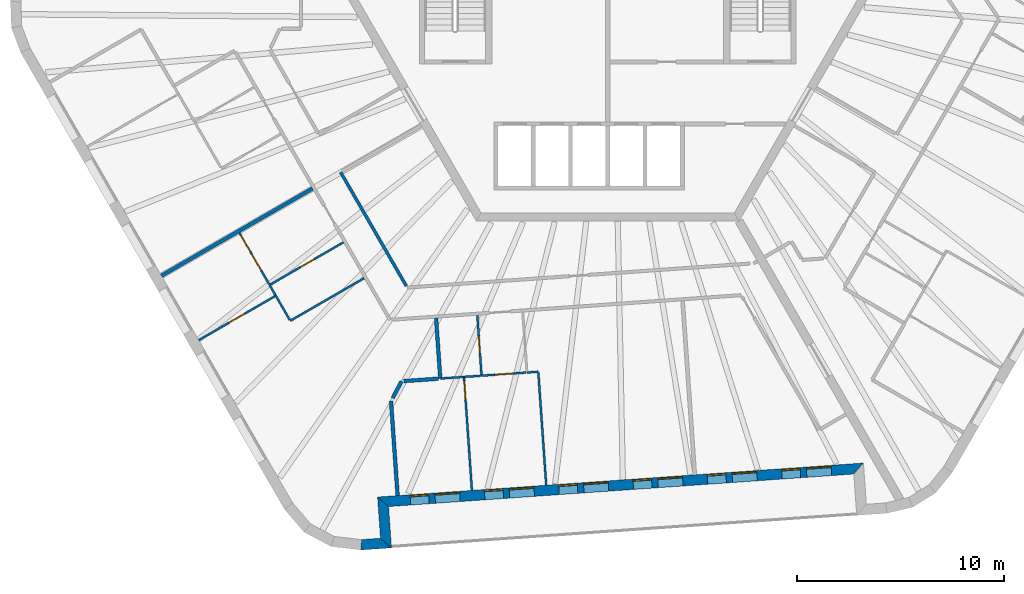
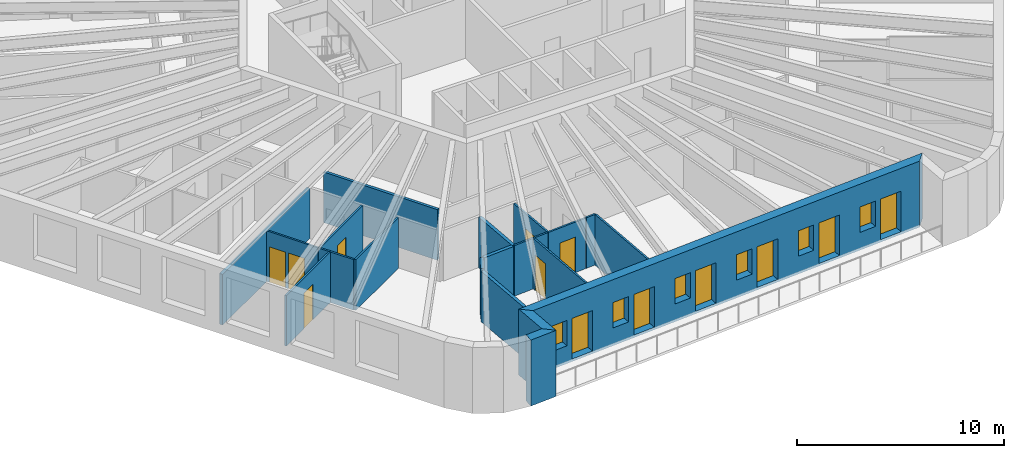
# One storey, part 3 of 12: 22 walls, 13 doors, 6 windows, 19 openings.
"""IFC4 building model written with IfcOpenShell, lengths in metres."""

from ifc_helpers import new_model, si_unit, direction, frame, frame_2d, origin, place, context, subcontext, project, spatial, polyline, rectangle, outline, extrude, material, layer, layer_set, type_object, element, fill, save


model = new_model("IFC4")

# Units and contexts
model_context = context("Model", 3, precision=1e-05, world=origin(), true_north=direction((0.0, 1.0)))
body_context = subcontext(model_context, "Body", "Model", "MODEL_VIEW")
ifc_project = project(units=[si_unit("LENGTHUNIT", "METRE"), si_unit("AREAUNIT", "SQUARE_METRE"), si_unit("VOLUMEUNIT", "CUBIC_METRE"), si_unit("PLANEANGLEUNIT", "RADIAN"), si_unit("MASSUNIT", "GRAM", prefix="KILO")], contexts=[model_context])

# Site, building, storey
site_placement = place(None, origin())
site = spatial("IfcSite", under=ifc_project, at=site_placement, CompositionType="ELEMENT")
building_placement = place(site_placement, origin())
building = spatial("IfcBuilding", under=site, at=building_placement, Name="Tarnside Tower", CompositionType="ELEMENT")
storey_placement = place(building_placement, frame((0.0, 0.0, 299.10009765625)))
storey = spatial("IfcBuildingStorey", under=building, at=storey_placement, Name="L72", CompositionType="ELEMENT", Elevation=299.10009765625)

# Walls
ifc_material_1 = material(Name="Gypsum board partition on steel studs", Category="steel")
ifc_layer_1 = layer(ifc_material_1, 0.10009765625)
ifc_layer_set_1 = layer_set([ifc_layer_1], Name="Bathroom wall 100")
wall_type_1 = type_object("IfcWallType", Name="Bathroom wall 100", PredefinedType="PARTITIONING", material=ifc_layer_set_1)
wall_1_placement = place(storey_placement, frame((-11.77490234375, -13.755126953125, 0.0), z_axis=(0.0, 0.0, 1.0), x_axis=(-0.866034795751, -0.499983732284, 0.0)))
element("IfcWall", 1, at=wall_1_placement, inside=storey, type_object=wall_type_1, Name="Bathroom wall 23120", PredefinedType="PARTITIONING", context=body_context, shape_type="SweptSolid", body=[
    extrude(rectangle(XDim=4.125244140625, YDim=0.10009765625, at=frame_2d((2.0625, 0.0))), origin(), (0.0, 0.0, 1.0), 2.98779296875),
])
wall_2_placement = place(storey_placement, frame((-15.372314453125, -15.7744140625, 0.0), z_axis=(0.0, 0.0, 1.0), x_axis=(-0.500003806764, 0.866023205937, 0.0)))
element("IfcWall", 2, at=wall_2_placement, inside=storey, type_object=wall_type_1, Name="Bathroom wall 23121", PredefinedType="PARTITIONING", context=body_context, shape_type="SweptSolid", body=[
    extrude(rectangle(XDim=1.35205078125, YDim=0.10009765625, at=frame_2d((0.676025390625, 0.0))), origin(), (0.0, 0.0, 1.0), 2.98779296875),
])

# Wall, opening, door
wall_3_placement = place(storey_placement, frame((-16.347412109375, -14.08544921875, 0.0), z_axis=(0.0, 0.0, 1.0), x_axis=(0.866034795751, 0.499983732284, 0.0)))
wall_3 = element("IfcWall", 3, at=wall_3_placement, inside=storey, type_object=wall_type_1, Name="Bathroom wall 23127", PredefinedType="PARTITIONING", context=body_context, shape_type="SweptSolid", body=[
    extrude(rectangle(XDim=4.125244140625, YDim=0.10009765625, at=frame_2d((2.0625, 0.0))), origin(), (0.0, 0.0, 1.0), 2.98779296875),
])
opening_1_placement = place(wall_3_placement, frame((1.699951171875, 0.0, 0.0)))
opening_1 = element("IfcOpeningElement", 4, at=opening_1_placement, cuts=wall_3, Name="Opening D-B1", PredefinedType="OPENING", context=body_context, shape_type="SweptSolid", body=[
    extrude(rectangle(XDim=0.800048828125, YDim=2.10009765625, at=frame_2d((0.39990234375, 1.050048828125))), frame((0.0, 0.06005859375, 0.0), z_axis=(0.0, -1.0, 0.0), x_axis=(1.0, 0.0, 0.0)), (0.0, 0.0, 1.0), 0.1201171875),
])
ifc_material_2 = material(Name="Timber door leaf", Category="wood")
door_type_1 = type_object("IfcDoorType", Name="Bathroom door 800", OperationType="NOTDEFINED", PredefinedType="DOOR", material=ifc_material_2)
door_1_placement = place(opening_1_placement, origin())
door_1 = element("IfcDoor", 5, at=door_1_placement, inside=storey, type_object=door_type_1, Name="Bathroom door 23027", OperationType="SINGLE_SWING_LEFT", OverallHeight=2.10009765625, OverallWidth=0.800048828125, PredefinedType="DOOR", context=body_context, shape_type="SweptSolid", body=[
    extrude(rectangle(XDim=0.800048828125, YDim=2.10009765625, at=frame_2d((0.39990234375, 1.050048828125))), frame((0.0, 0.02490234375, 0.0), z_axis=(0.0, -1.0, 0.0), x_axis=(1.0, 0.0, 0.0)), (0.0, 0.0, 1.0), 0.050048828125),
])
fill(opening_1, door_1)

# Wall
wall_4_placement = place(storey_placement, frame((-16.348388671875, -14.083740234375, 0.0), z_axis=(0.0, 0.0, 1.0), x_axis=(0.499933044277, -0.866064057238, 0.0)))
element("IfcWall", 6, at=wall_4_placement, inside=storey, type_object=wall_type_1, Name="Bathroom wall 23129", PredefinedType="PARTITIONING", context=body_context, shape_type="SweptSolid", body=[
    extrude(rectangle(XDim=0.60205078125, YDim=0.10009765625, at=frame_2d((0.301025390625, 0.0))), origin(), (0.0, 0.0, 1.0), 2.98779296875),
])

# Wall, opening, door
wall_5_placement = place(storey_placement, frame((-6.303466796875, -15.552490234375, 0.0), z_axis=(0.0, 0.0, 1.0), x_axis=(0.069775971057, -0.997562686683, 0.0)))
wall_5 = element("IfcWall", 7, at=wall_5_placement, inside=storey, type_object=wall_type_1, Name="Bathroom wall 23134", PredefinedType="PARTITIONING", context=body_context, shape_type="SweptSolid", body=[
    extrude(rectangle(XDim=2.925048828125, YDim=0.10009765625, at=frame_2d((1.46240234375, 0.0))), origin(), (0.0, 0.0, 1.0), 2.98779296875),
])
opening_2_placement = place(wall_5_placement, frame((1.02490234375, 0.0, 0.0)))
opening_2 = element("IfcOpeningElement", 8, at=opening_2_placement, cuts=wall_5, Name="Opening D-B1", PredefinedType="OPENING", context=body_context, shape_type="SweptSolid", body=[
    extrude(rectangle(XDim=0.800048828125, YDim=2.10009765625, at=frame_2d((0.39990234375, 1.050048828125))), frame((0.0, 0.06005859375, 0.0), z_axis=(0.0, -1.0, 0.0), x_axis=(1.0, 0.0, 0.0)), (0.0, 0.0, 1.0), 0.1201171875),
])
door_2_placement = place(opening_2_placement, origin())
door_2 = element("IfcDoor", 9, at=door_2_placement, inside=storey, type_object=door_type_1, Name="Bathroom door 23032", OperationType="SINGLE_SWING_RIGHT", OverallHeight=2.10009765625, OverallWidth=0.800048828125, PredefinedType="DOOR", context=body_context, shape_type="SweptSolid", body=[
    extrude(rectangle(XDim=0.800048828125, YDim=2.10009765625, at=frame_2d((0.39990234375, 1.050048828125))), frame((0.0, 0.02490234375, 0.0), z_axis=(0.0, -1.0, 0.0), x_axis=(1.0, 0.0, 0.0)), (0.0, 0.0, 1.0), 0.050048828125),
])
fill(opening_2, door_2)

# Walls
wall_6_placement = place(storey_placement, frame((-8.0966796875, -18.610107421875, 0.0), z_axis=(0.0, 0.0, 1.0), x_axis=(0.99756000175, 0.069814346006, 0.0)))
element("IfcWall", 10, at=wall_6_placement, inside=storey, type_object=wall_type_1, Name="Bathroom wall 23136", PredefinedType="PARTITIONING", context=body_context, shape_type="SweptSolid", body=[
    extrude(rectangle(XDim=1.150390625, YDim=0.10009765625, at=frame_2d((0.5751953125, 0.0))), origin(), (0.0, 0.0, 1.0), 2.98779296875),
])
wall_7_placement = place(storey_placement, frame((-6.948974609375, -18.52978515625, 0.0), z_axis=(0.0, 0.0, 1.0), x_axis=(0.997577552604, 0.06956311192, 0.0)))
element("IfcWall", 11, at=wall_7_placement, inside=storey, type_object=wall_type_1, Name="Bathroom wall 23137", PredefinedType="PARTITIONING", context=body_context, shape_type="SweptSolid", body=[
    extrude(rectangle(XDim=0.8037109375, YDim=0.10009765625, at=frame_2d((0.40185546875, 0.0))), origin(), (0.0, 0.0, 1.0), 2.98779296875),
])
ifc_layer_2 = layer(ifc_material_1, 0.14990234375)
ifc_layer_set_2 = layer_set([ifc_layer_2], Name="Corridor wall 150 EI 60")
wall_type_2 = type_object("IfcWallType", Name="Corridor wall 150 EI 60", PredefinedType="PARTITIONING", material=ifc_layer_set_2)
wall_8_placement = place(storey_placement, frame((-9.73486328125, -14.138427734375, 0.0), z_axis=(0.0, 0.0, 1.0), x_axis=(-0.500018385592, 0.866014788598, 0.0)))
element("IfcWall", 12, at=wall_8_placement, inside=storey, type_object=wall_type_2, Name="Corridor wall 23051", PredefinedType="PARTITIONING", context=body_context, shape_type="SweptSolid", body=[
    extrude(rectangle(XDim=6.355712890625, YDim=0.14990234375, at=frame_2d((3.177734375, 0.0))), origin(), (0.0, 0.0, 1.0), 2.98779296875),
])
ifc_layer_3 = layer(ifc_material_1, 0.179931640625)
ifc_layer_set_3 = layer_set([ifc_layer_3], Name="Demising wall 180 EI 60")
wall_type_3 = type_object("IfcWallType", Name="Demising wall 180 EI 60", PredefinedType="PARTITIONING", material=ifc_layer_set_3)
wall_9_placement = place(storey_placement, frame((-21.5712890625, -13.637451171875, 0.0), z_axis=(0.0, 0.0, 1.0), x_axis=(0.866034063461, 0.499985000701, 0.0)))
element("IfcWall", 13, at=wall_9_placement, inside=storey, type_object=wall_type_3, Name="Demising wall 23116", PredefinedType="PARTITIONING", context=body_context, shape_type="SweptSolid", body=[
    extrude(rectangle(XDim=8.425048828125, YDim=0.179931640625, at=frame_2d((4.21240234375, 0.0))), origin(), (0.0, 0.0, 1.0), 2.98779296875),
])
wall_10_placement = place(storey_placement, frame((-8.094482421875, -18.60986328125, 0.0), z_axis=(0.0, 0.0, 1.0), x_axis=(-0.069781781132, 0.997562280272, 0.0)))
element("IfcWall", 14, at=wall_10_placement, inside=storey, type_object=wall_type_3, Name="Demising wall 23123", PredefinedType="PARTITIONING", context=body_context, shape_type="SweptSolid", body=[
    extrude(rectangle(XDim=2.9248046875, YDim=0.179931640625, at=frame_2d((1.46240234375, 0.0))), origin(), (0.0, 0.0, 1.0), 2.98779296875),
])
wall_11_placement = place(storey_placement, frame((-10.15673828125, -24.267578125, 0.0), z_axis=(0.0, 0.0, 1.0), x_axis=(-0.069722955951, 0.997566393486, 0.0)))
element("IfcWall", 15, at=wall_11_placement, inside=storey, type_object=wall_type_3, Name="Demising wall 23124", PredefinedType="PARTITIONING", context=body_context, shape_type="SweptSolid", body=[
    extrude(rectangle(XDim=4.57666015625, YDim=0.179931640625, at=frame_2d((2.288330078125, 0.0))), origin(), (0.0, 0.0, 1.0), 2.98779296875),
])
wall_12_placement = place(storey_placement, frame((-10.396240234375, -19.55224609375, 0.0), z_axis=(0.0, 0.0, 1.0), x_axis=(0.469595353143, 0.882881761226, 0.0)))
element("IfcWall", 16, at=wall_12_placement, inside=storey, type_object=wall_type_3, Name="Demising wall 23125", PredefinedType="PARTITIONING", context=body_context, shape_type="SweptSolid", body=[
    extrude(rectangle(XDim=0.919189453125, YDim=0.179931640625, at=frame_2d((0.45947265625, 0.0))), origin(), (0.0, 0.0, 1.0), 2.98779296875),
])
wall_13_placement = place(storey_placement, frame((-9.858642578125, -18.7333984375, 0.0), z_axis=(0.0, 0.0, 1.0), x_axis=(0.997559371599, 0.069823349496, 0.0)))
element("IfcWall", 17, at=wall_13_placement, inside=storey, type_object=wall_type_3, Name="Demising wall 23126", PredefinedType="PARTITIONING", context=body_context, shape_type="SweptSolid", body=[
    extrude(rectangle(XDim=1.681884765625, YDim=0.179931640625, at=frame_2d((0.8408203125, 0.0))), origin(), (0.0, 0.0, 1.0), 2.98779296875),
])
ifc_material_3 = material(Name="Dark zinc cladding")
ifc_layer_4 = layer(ifc_material_3, 0.10205078125)
ifc_material_4 = material(Name="Concrete C60/75 precast", Category="concrete")
ifc_layer_5 = layer(ifc_material_4, 0.298095703125)
ifc_material_5 = material(Name="Mineral wool insulation")
ifc_layer_6 = layer(ifc_material_5, 0.10009765625)
ifc_layer_set_4 = layer_set([ifc_layer_4, ifc_layer_5, ifc_layer_6], Name="Loggia wall 500 zinc faced")
wall_type_4 = type_object("IfcWallType", Name="Loggia wall 500 zinc faced", PredefinedType="SOLIDWALL", material=ifc_layer_set_4)
wall_14_placement = place(storey_placement, frame((-11.91748046875, -26.646240234375, -0.150146484375), z_axis=(0.0, 0.0, 1.0), x_axis=(0.997562933087, 0.069772448216, 0.0)))
element("IfcWall", 18, at=wall_14_placement, inside=storey, type_object=wall_type_4, Name="Tube wall L72 F4 stub 16", PredefinedType="SOLIDWALL", context=body_context, shape_type="SweptSolid", body=[
    extrude(outline(polyline([(-0.0234375, -0.25), (1.4501953125, -0.25), (0.9501953125, 0.25), (0.0234375, 0.25), (-0.0234375, -0.25)])), origin(), (0.0, 0.0, 1.0), 3.900146484375),
])
wall_15_placement = place(storey_placement, frame((-10.72021484375, -26.5625, -0.150146484375), z_axis=(0.0, 0.0, 1.0), x_axis=(-0.069824268692, 0.99755930726, 0.0)))
element("IfcWall", 19, at=wall_15_placement, inside=storey, type_object=wall_type_4, Name="Tube wall L72 F4 return 17", PredefinedType="SOLIDWALL", context=body_context, shape_type="SweptSolid", body=[
    extrude(outline(polyline([(-0.25, -0.25), (1.75, -0.25), (2.25, 0.25), (0.25, 0.25), (-0.25, -0.25)])), origin(), (0.0, 0.0, 1.0), 3.900146484375),
])

# Wall, openings, doors, windows
wall_16_placement = place(storey_placement, frame((-10.85986328125, -24.5673828125, -0.150146484375), z_axis=(0.0, 0.0, 1.0), x_axis=(0.997564329317, 0.06975248292, 0.0)))
wall_16 = element("IfcWall", 20, at=wall_16_placement, inside=storey, type_object=wall_type_4, Name="Tube wall L72 F4 back 18", PredefinedType="SOLIDWALL", context=body_context, shape_type="SweptSolid", body=[
    extrude(outline(polyline([(0.25, -0.25), (22.794677734375, -0.25), (23.294677734375, 0.25), (-0.25, 0.25), (0.25, -0.25)])), origin(), (0.0, 0.0, 1.0), 3.900146484375),
])
opening_3_placement = place(wall_16_placement, frame((1.322509765625, 0.0, 1.050048828125)))
opening_3 = element("IfcOpeningElement", 21, at=opening_3_placement, cuts=wall_16, Name="Opening WL500", PredefinedType="OPENING", context=body_context, shape_type="SweptSolid", body=[
    extrude(rectangle(XDim=0.89990234375, YDim=1.5, at=frame_2d((0.449951171875, 0.75))), frame((0.0, 0.260009765625, 0.0), z_axis=(0.0, -1.0, 0.0), x_axis=(1.0, 0.0, 0.0)), (0.0, 0.0, 1.0), 0.52001953125),
])
opening_4_placement = place(wall_16_placement, frame((2.5224609375, 0.0, 0.14990234375)))
opening_4 = element("IfcOpeningElement", 22, at=opening_4_placement, cuts=wall_16, Name="Opening DB500", PredefinedType="OPENING", context=body_context, shape_type="SweptSolid", body=[
    extrude(rectangle(XDim=1.199951171875, YDim=2.39990234375, at=frame_2d((0.60009765625, 1.199951171875))), frame((0.0, 0.260009765625, 0.0), z_axis=(0.0, -1.0, 0.0), x_axis=(1.0, 0.0, 0.0)), (0.0, 0.0, 1.0), 0.52001953125),
])
opening_5_placement = place(wall_16_placement, frame((4.92236328125, 0.0, 1.050048828125)))
opening_5 = element("IfcOpeningElement", 23, at=opening_5_placement, cuts=wall_16, Name="Opening WL500", PredefinedType="OPENING", context=body_context, shape_type="SweptSolid", body=[
    extrude(rectangle(XDim=0.89990234375, YDim=1.5, at=frame_2d((0.449951171875, 0.75))), frame((0.0, 0.260009765625, 0.0), z_axis=(0.0, -1.0, 0.0), x_axis=(1.0, 0.0, 0.0)), (0.0, 0.0, 1.0), 0.52001953125),
])
opening_6_placement = place(wall_16_placement, frame((6.122314453125, 0.0, 0.14990234375)))
opening_6 = element("IfcOpeningElement", 24, at=opening_6_placement, cuts=wall_16, Name="Opening DB500", PredefinedType="OPENING", context=body_context, shape_type="SweptSolid", body=[
    extrude(rectangle(XDim=1.199951171875, YDim=2.39990234375, at=frame_2d((0.60009765625, 1.199951171875))), frame((0.0, 0.260009765625, 0.0), z_axis=(0.0, -1.0, 0.0), x_axis=(1.0, 0.0, 0.0)), (0.0, 0.0, 1.0), 0.52001953125),
])
opening_7_placement = place(wall_16_placement, frame((8.5224609375, 0.0, 1.050048828125)))
opening_7 = element("IfcOpeningElement", 25, at=opening_7_placement, cuts=wall_16, Name="Opening WL500", PredefinedType="OPENING", context=body_context, shape_type="SweptSolid", body=[
    extrude(rectangle(XDim=0.89990234375, YDim=1.5, at=frame_2d((0.449951171875, 0.75))), frame((0.0, 0.260009765625, 0.0), z_axis=(0.0, -1.0, 0.0), x_axis=(1.0, 0.0, 0.0)), (0.0, 0.0, 1.0), 0.52001953125),
])
opening_8_placement = place(wall_16_placement, frame((9.722412109375, 0.0, 0.14990234375)))
opening_8 = element("IfcOpeningElement", 26, at=opening_8_placement, cuts=wall_16, Name="Opening DB500", PredefinedType="OPENING", context=body_context, shape_type="SweptSolid", body=[
    extrude(rectangle(XDim=1.199951171875, YDim=2.39990234375, at=frame_2d((0.60009765625, 1.199951171875))), frame((0.0, 0.260009765625, 0.0), z_axis=(0.0, -1.0, 0.0), x_axis=(1.0, 0.0, 0.0)), (0.0, 0.0, 1.0), 0.52001953125),
])
opening_9_placement = place(wall_16_placement, frame((12.122314453125, 0.0, 1.050048828125)))
opening_9 = element("IfcOpeningElement", 27, at=opening_9_placement, cuts=wall_16, Name="Opening WL500", PredefinedType="OPENING", context=body_context, shape_type="SweptSolid", body=[
    extrude(rectangle(XDim=0.89990234375, YDim=1.5, at=frame_2d((0.449951171875, 0.75))), frame((0.0, 0.260009765625, 0.0), z_axis=(0.0, -1.0, 0.0), x_axis=(1.0, 0.0, 0.0)), (0.0, 0.0, 1.0), 0.52001953125),
])
opening_10_placement = place(wall_16_placement, frame((13.322509765625, 0.0, 0.14990234375)))
opening_10 = element("IfcOpeningElement", 28, at=opening_10_placement, cuts=wall_16, Name="Opening DB500", PredefinedType="OPENING", context=body_context, shape_type="SweptSolid", body=[
    extrude(rectangle(XDim=1.199951171875, YDim=2.39990234375, at=frame_2d((0.60009765625, 1.199951171875))), frame((0.0, 0.260009765625, 0.0), z_axis=(0.0, -1.0, 0.0), x_axis=(1.0, 0.0, 0.0)), (0.0, 0.0, 1.0), 0.52001953125),
])
opening_11_placement = place(wall_16_placement, frame((15.722412109375, 0.0, 1.050048828125)))
opening_11 = element("IfcOpeningElement", 29, at=opening_11_placement, cuts=wall_16, Name="Opening WL500", PredefinedType="OPENING", context=body_context, shape_type="SweptSolid", body=[
    extrude(rectangle(XDim=0.89990234375, YDim=1.5, at=frame_2d((0.449951171875, 0.75))), frame((0.0, 0.260009765625, 0.0), z_axis=(0.0, -1.0, 0.0), x_axis=(1.0, 0.0, 0.0)), (0.0, 0.0, 1.0), 0.52001953125),
])
opening_12_placement = place(wall_16_placement, frame((16.92236328125, 0.0, 0.14990234375)))
opening_12 = element("IfcOpeningElement", 30, at=opening_12_placement, cuts=wall_16, Name="Opening DB500", PredefinedType="OPENING", context=body_context, shape_type="SweptSolid", body=[
    extrude(rectangle(XDim=1.199951171875, YDim=2.39990234375, at=frame_2d((0.60009765625, 1.199951171875))), frame((0.0, 0.260009765625, 0.0), z_axis=(0.0, -1.0, 0.0), x_axis=(1.0, 0.0, 0.0)), (0.0, 0.0, 1.0), 0.52001953125),
])
opening_13_placement = place(wall_16_placement, frame((19.322509765625, 0.0, 1.050048828125)))
opening_13 = element("IfcOpeningElement", 31, at=opening_13_placement, cuts=wall_16, Name="Opening WL500", PredefinedType="OPENING", context=body_context, shape_type="SweptSolid", body=[
    extrude(rectangle(XDim=0.89990234375, YDim=1.5, at=frame_2d((0.449951171875, 0.75))), frame((0.0, 0.260009765625, 0.0), z_axis=(0.0, -1.0, 0.0), x_axis=(1.0, 0.0, 0.0)), (0.0, 0.0, 1.0), 0.52001953125),
])
opening_14_placement = place(wall_16_placement, frame((20.5224609375, 0.0, 0.14990234375)))
opening_14 = element("IfcOpeningElement", 32, at=opening_14_placement, cuts=wall_16, Name="Opening DB500", PredefinedType="OPENING", context=body_context, shape_type="SweptSolid", body=[
    extrude(rectangle(XDim=1.199951171875, YDim=2.39990234375, at=frame_2d((0.60009765625, 1.199951171875))), frame((0.0, 0.260009765625, 0.0), z_axis=(0.0, -1.0, 0.0), x_axis=(1.0, 0.0, 0.0)), (0.0, 0.0, 1.0), 0.52001953125),
])
ifc_material_6 = material(Name="Aluminium-framed double glazing", Category="aluminium")
door_type_2 = type_object("IfcDoorType", Name="Balcony sliding door 1200 x 2400 in 500 wall", OperationType="SLIDING_TO_LEFT", PredefinedType="DOOR", material=ifc_material_6)
door_3_placement = place(opening_4_placement, frame((0.0, 0.1748046875, 0.0)))
door_3 = element("IfcDoor", 33, at=door_3_placement, inside=storey, type_object=door_type_2, Name="E.BD.L72.F4.00", OperationType="SLIDING_TO_LEFT", OverallHeight=2.39990234375, OverallWidth=1.199951171875, PredefinedType="DOOR", context=body_context, shape_type="SweptSolid", body=[
    extrude(rectangle(XDim=1.199951171875, YDim=2.39990234375, at=frame_2d((0.60009765625, 1.199951171875))), frame((0.0, 0.02490234375, 0.0), z_axis=(0.0, -1.0, 0.0), x_axis=(1.0, 0.0, 0.0)), (0.0, 0.0, 1.0), 0.050048828125),
])
fill(opening_4, door_3)
door_4_placement = place(opening_6_placement, frame((0.0, 0.1748046875, 0.0)))
door_4 = element("IfcDoor", 34, at=door_4_placement, inside=storey, type_object=door_type_2, Name="E.BD.L72.F4.01", OperationType="SLIDING_TO_LEFT", OverallHeight=2.39990234375, OverallWidth=1.199951171875, PredefinedType="DOOR", context=body_context, shape_type="SweptSolid", body=[
    extrude(rectangle(XDim=1.199951171875, YDim=2.39990234375, at=frame_2d((0.60009765625, 1.199951171875))), frame((0.0, 0.02490234375, 0.0), z_axis=(0.0, -1.0, 0.0), x_axis=(1.0, 0.0, 0.0)), (0.0, 0.0, 1.0), 0.050048828125),
])
fill(opening_6, door_4)
door_5_placement = place(opening_8_placement, frame((0.0, 0.1748046875, 0.0)))
door_5 = element("IfcDoor", 35, at=door_5_placement, inside=storey, type_object=door_type_2, Name="E.BD.L72.F4.02", OperationType="SLIDING_TO_LEFT", OverallHeight=2.39990234375, OverallWidth=1.199951171875, PredefinedType="DOOR", context=body_context, shape_type="SweptSolid", body=[
    extrude(rectangle(XDim=1.199951171875, YDim=2.39990234375, at=frame_2d((0.60009765625, 1.199951171875))), frame((0.0, 0.02490234375, 0.0), z_axis=(0.0, -1.0, 0.0), x_axis=(1.0, 0.0, 0.0)), (0.0, 0.0, 1.0), 0.050048828125),
])
fill(opening_8, door_5)
door_6_placement = place(opening_10_placement, frame((0.0, 0.1748046875, 0.0)))
door_6 = element("IfcDoor", 36, at=door_6_placement, inside=storey, type_object=door_type_2, Name="E.BD.L72.F4.03", OperationType="SLIDING_TO_LEFT", OverallHeight=2.39990234375, OverallWidth=1.199951171875, PredefinedType="DOOR", context=body_context, shape_type="SweptSolid", body=[
    extrude(rectangle(XDim=1.199951171875, YDim=2.39990234375, at=frame_2d((0.60009765625, 1.199951171875))), frame((0.0, 0.02490234375, 0.0), z_axis=(0.0, -1.0, 0.0), x_axis=(1.0, 0.0, 0.0)), (0.0, 0.0, 1.0), 0.050048828125),
])
fill(opening_10, door_6)
door_7_placement = place(opening_12_placement, frame((0.0, 0.1748046875, 0.0)))
door_7 = element("IfcDoor", 37, at=door_7_placement, inside=storey, type_object=door_type_2, Name="E.BD.L72.F4.04", OperationType="SLIDING_TO_LEFT", OverallHeight=2.39990234375, OverallWidth=1.199951171875, PredefinedType="DOOR", context=body_context, shape_type="SweptSolid", body=[
    extrude(rectangle(XDim=1.199951171875, YDim=2.39990234375, at=frame_2d((0.60009765625, 1.199951171875))), frame((0.0, 0.02490234375, 0.0), z_axis=(0.0, -1.0, 0.0), x_axis=(1.0, 0.0, 0.0)), (0.0, 0.0, 1.0), 0.050048828125),
])
fill(opening_12, door_7)
door_8_placement = place(opening_14_placement, frame((0.0, 0.1748046875, 0.0)))
door_8 = element("IfcDoor", 38, at=door_8_placement, inside=storey, type_object=door_type_2, Name="E.BD.L72.F4.05", OperationType="SLIDING_TO_LEFT", OverallHeight=2.39990234375, OverallWidth=1.199951171875, PredefinedType="DOOR", context=body_context, shape_type="SweptSolid", body=[
    extrude(rectangle(XDim=1.199951171875, YDim=2.39990234375, at=frame_2d((0.60009765625, 1.199951171875))), frame((0.0, 0.02490234375, 0.0), z_axis=(0.0, -1.0, 0.0), x_axis=(1.0, 0.0, 0.0)), (0.0, 0.0, 1.0), 0.050048828125),
])
fill(opening_14, door_8)
window_type = type_object("IfcWindowType", Name="Loggia window 900 x 1500 in 500 wall", PartitioningType="SINGLE_PANEL", PredefinedType="WINDOW", material=ifc_material_6)
window_1_placement = place(opening_3_placement, frame((0.0, 0.179931640625, 0.0)))
window_1 = element("IfcWindow", 39, at=window_1_placement, inside=storey, type_object=window_type, Name="E.LW.L72.F4.00", OverallHeight=1.5, OverallWidth=0.89990234375, PartitioningType="SINGLE_PANEL", PredefinedType="WINDOW", context=body_context, shape_type="SweptSolid", body=[
    extrude(rectangle(XDim=0.89990234375, YDim=1.5, at=frame_2d((0.449951171875, 0.75))), frame((0.0, 0.030029296875, 0.0), z_axis=(0.0, -1.0, 0.0), x_axis=(1.0, 0.0, 0.0)), (0.0, 0.0, 1.0), 0.06005859375),
])
fill(opening_3, window_1)
window_2_placement = place(opening_5_placement, frame((0.0, 0.179931640625, 0.0)))
window_2 = element("IfcWindow", 40, at=window_2_placement, inside=storey, type_object=window_type, Name="E.LW.L72.F4.01", OverallHeight=1.5, OverallWidth=0.89990234375, PartitioningType="SINGLE_PANEL", PredefinedType="WINDOW", context=body_context, shape_type="SweptSolid", body=[
    extrude(rectangle(XDim=0.89990234375, YDim=1.5, at=frame_2d((0.449951171875, 0.75))), frame((0.0, 0.030029296875, 0.0), z_axis=(0.0, -1.0, 0.0), x_axis=(1.0, 0.0, 0.0)), (0.0, 0.0, 1.0), 0.06005859375),
])
fill(opening_5, window_2)
window_3_placement = place(opening_7_placement, frame((0.0, 0.179931640625, 0.0)))
window_3 = element("IfcWindow", 41, at=window_3_placement, inside=storey, type_object=window_type, Name="E.LW.L72.F4.02", OverallHeight=1.5, OverallWidth=0.89990234375, PartitioningType="SINGLE_PANEL", PredefinedType="WINDOW", context=body_context, shape_type="SweptSolid", body=[
    extrude(rectangle(XDim=0.89990234375, YDim=1.5, at=frame_2d((0.449951171875, 0.75))), frame((0.0, 0.030029296875, 0.0), z_axis=(0.0, -1.0, 0.0), x_axis=(1.0, 0.0, 0.0)), (0.0, 0.0, 1.0), 0.06005859375),
])
fill(opening_7, window_3)
window_4_placement = place(opening_9_placement, frame((0.0, 0.179931640625, 0.0)))
window_4 = element("IfcWindow", 42, at=window_4_placement, inside=storey, type_object=window_type, Name="E.LW.L72.F4.03", OverallHeight=1.5, OverallWidth=0.89990234375, PartitioningType="SINGLE_PANEL", PredefinedType="WINDOW", context=body_context, shape_type="SweptSolid", body=[
    extrude(rectangle(XDim=0.89990234375, YDim=1.5, at=frame_2d((0.449951171875, 0.75))), frame((0.0, 0.030029296875, 0.0), z_axis=(0.0, -1.0, 0.0), x_axis=(1.0, 0.0, 0.0)), (0.0, 0.0, 1.0), 0.06005859375),
])
fill(opening_9, window_4)
window_5_placement = place(opening_11_placement, frame((0.0, 0.179931640625, 0.0)))
window_5 = element("IfcWindow", 43, at=window_5_placement, inside=storey, type_object=window_type, Name="E.LW.L72.F4.04", OverallHeight=1.5, OverallWidth=0.89990234375, PartitioningType="SINGLE_PANEL", PredefinedType="WINDOW", context=body_context, shape_type="SweptSolid", body=[
    extrude(rectangle(XDim=0.89990234375, YDim=1.5, at=frame_2d((0.449951171875, 0.75))), frame((0.0, 0.030029296875, 0.0), z_axis=(0.0, -1.0, 0.0), x_axis=(1.0, 0.0, 0.0)), (0.0, 0.0, 1.0), 0.06005859375),
])
fill(opening_11, window_5)
window_6_placement = place(opening_13_placement, frame((0.0, 0.179931640625, 0.0)))
window_6 = element("IfcWindow", 44, at=window_6_placement, inside=storey, type_object=window_type, Name="E.LW.L72.F4.05", OverallHeight=1.5, OverallWidth=0.89990234375, PartitioningType="SINGLE_PANEL", PredefinedType="WINDOW", context=body_context, shape_type="SweptSolid", body=[
    extrude(rectangle(XDim=0.89990234375, YDim=1.5, at=frame_2d((0.449951171875, 0.75))), frame((0.0, 0.030029296875, 0.0), z_axis=(0.0, -1.0, 0.0), x_axis=(1.0, 0.0, 0.0)), (0.0, 0.0, 1.0), 0.06005859375),
])
fill(opening_13, window_6)

# Wall, opening, door
ifc_layer_7 = layer(ifc_material_1, 0.10009765625)
ifc_layer_set_5 = layer_set([ifc_layer_7], Name="Partition 100")
wall_type_5 = type_object("IfcWallType", Name="Partition 100", PredefinedType="PARTITIONING", material=ifc_layer_set_5)
wall_17_placement = place(storey_placement, frame((-16.090576171875, -14.630126953125, 0.0), z_axis=(0.0, 0.0, 1.0), x_axis=(-0.866028703517, -0.499994284652, 0.0)))
wall_17 = element("IfcWall", 45, at=wall_17_placement, inside=storey, type_object=wall_type_5, Name="Partition wall 23122", PredefinedType="PARTITIONING", context=body_context, shape_type="SweptSolid", body=[
    extrude(rectangle(XDim=4.25, YDim=0.10009765625, at=frame_2d((2.125, 0.0))), origin(), (0.0, 0.0, 1.0), 2.98779296875),
])
opening_15_placement = place(wall_17_placement, frame((1.675048828125, 0.0, 0.0)))
opening_15 = element("IfcOpeningElement", 46, at=opening_15_placement, cuts=wall_17, Name="Opening D-I1", PredefinedType="OPENING", context=body_context, shape_type="SweptSolid", body=[
    extrude(rectangle(XDim=0.89990234375, YDim=2.10009765625, at=frame_2d((0.449951171875, 1.050048828125))), frame((0.0, 0.06005859375, 0.0), z_axis=(0.0, -1.0, 0.0), x_axis=(1.0, 0.0, 0.0)), (0.0, 0.0, 1.0), 0.1201171875),
])
door_type_3 = type_object("IfcDoorType", Name="Internal door 900", OperationType="NOTDEFINED", PredefinedType="DOOR", material=ifc_material_2)
door_9_placement = place(opening_15_placement, origin())
door_9 = element("IfcDoor", 47, at=door_9_placement, inside=storey, type_object=door_type_3, Name="Internal door 23056", OperationType="SINGLE_SWING_LEFT", OverallHeight=2.10009765625, OverallWidth=0.89990234375, PredefinedType="DOOR", context=body_context, shape_type="SweptSolid", body=[
    extrude(rectangle(XDim=0.89990234375, YDim=2.10009765625, at=frame_2d((0.449951171875, 1.050048828125))), frame((0.0, 0.02490234375, 0.0), z_axis=(0.0, -1.0, 0.0), x_axis=(1.0, 0.0, 0.0)), (0.0, 0.0, 1.0), 0.050048828125),
])
fill(opening_15, door_9)

# Wall, openings, doors
wall_18_placement = place(storey_placement, frame((-17.80224609375, -11.5654296875, 0.0), z_axis=(0.0, 0.0, 1.0), x_axis=(0.499983369373, -0.866035005268, 0.0)))
wall_18 = element("IfcWall", 48, at=wall_18_placement, inside=storey, type_object=wall_type_5, Name="Partition wall 23128", PredefinedType="PARTITIONING", context=body_context, shape_type="SweptSolid", body=[
    extrude(rectangle(XDim=2.86181640625, YDim=0.10009765625, at=frame_2d((1.430908203125, 0.0))), origin(), (0.0, 0.0, 1.0), 2.98779296875),
])
opening_16_placement = place(wall_18_placement, frame((0.14990234375, 0.0, 0.0)))
opening_16 = element("IfcOpeningElement", 49, at=opening_16_placement, cuts=wall_18, Name="Opening D-I1", PredefinedType="OPENING", context=body_context, shape_type="SweptSolid", body=[
    extrude(rectangle(XDim=0.89990234375, YDim=2.10009765625, at=frame_2d((0.449951171875, 1.050048828125))), frame((0.0, 0.06005859375, 0.0), z_axis=(0.0, -1.0, 0.0), x_axis=(1.0, 0.0, 0.0)), (0.0, 0.0, 1.0), 0.1201171875),
])
opening_17_placement = place(wall_18_placement, frame((1.2099609375, 0.0, 0.0)))
opening_17 = element("IfcOpeningElement", 50, at=opening_17_placement, cuts=wall_18, Name="Opening D-I1", PredefinedType="OPENING", context=body_context, shape_type="SweptSolid", body=[
    extrude(rectangle(XDim=0.89990234375, YDim=2.10009765625, at=frame_2d((0.449951171875, 1.050048828125))), frame((0.0, 0.06005859375, 0.0), z_axis=(0.0, -1.0, 0.0), x_axis=(1.0, 0.0, 0.0)), (0.0, 0.0, 1.0), 0.1201171875),
])
door_10_placement = place(opening_16_placement, origin())
door_10 = element("IfcDoor", 51, at=door_10_placement, inside=storey, type_object=door_type_3, Name="Internal door 23029", OperationType="SINGLE_SWING_LEFT", OverallHeight=2.10009765625, OverallWidth=0.89990234375, PredefinedType="DOOR", context=body_context, shape_type="SweptSolid", body=[
    extrude(rectangle(XDim=0.89990234375, YDim=2.10009765625, at=frame_2d((0.449951171875, 1.050048828125))), frame((0.0, 0.02490234375, 0.0), z_axis=(0.0, -1.0, 0.0), x_axis=(1.0, 0.0, 0.0)), (0.0, 0.0, 1.0), 0.050048828125),
])
fill(opening_16, door_10)
door_11_placement = place(opening_17_placement, origin())
door_11 = element("IfcDoor", 52, at=door_11_placement, inside=storey, type_object=door_type_3, Name="Internal door 23030", OperationType="SINGLE_SWING_LEFT", OverallHeight=2.10009765625, OverallWidth=0.89990234375, PredefinedType="DOOR", context=body_context, shape_type="SweptSolid", body=[
    extrude(rectangle(XDim=0.89990234375, YDim=2.10009765625, at=frame_2d((0.449951171875, 1.050048828125))), frame((0.0, 0.02490234375, 0.0), z_axis=(0.0, -1.0, 0.0), x_axis=(1.0, 0.0, 0.0)), (0.0, 0.0, 1.0), 0.050048828125),
])
fill(opening_17, door_11)

# Walls
wall_19_placement = place(storey_placement, frame((-3.90673828125, -18.317138671875, 0.0), z_axis=(0.0, 0.0, 1.0), x_axis=(0.997570082671, 0.069670152571, 0.0)))
element("IfcWall", 53, at=wall_19_placement, inside=storey, type_object=wall_type_5, Name="Partition wall 23131", PredefinedType="PARTITIONING", context=body_context, shape_type="SweptSolid", body=[
    extrude(rectangle(XDim=0.550048828125, YDim=0.10009765625, at=frame_2d((0.27490234375, 0.0))), origin(), (0.0, 0.0, 1.0), 2.98779296875),
])
wall_20_placement = place(storey_placement, frame((-3.354248046875, -18.32861328125, 0.0), z_axis=(0.0, 0.0, 1.0), x_axis=(0.069747550305, -0.997564674207, 0.0)))
element("IfcWall", 54, at=wall_20_placement, inside=storey, type_object=wall_type_5, Name="Partition wall 23132", PredefinedType="PARTITIONING", context=body_context, shape_type="SweptSolid", body=[
    extrude(rectangle(XDim=5.449951171875, YDim=0.10009765625, at=frame_2d((2.72509765625, 0.0))), origin(), (0.0, 0.0, 1.0), 2.98779296875),
])

# Wall, opening, door
wall_21_placement = place(storey_placement, frame((-6.1015625, -18.470703125, 0.0), z_axis=(0.0, 0.0, 1.0), x_axis=(0.997560072268, 0.069813338391, 0.0)))
wall_21 = element("IfcWall", 55, at=wall_21_placement, inside=storey, type_object=wall_type_5, Name="Partition wall 23135", PredefinedType="PARTITIONING", context=body_context, shape_type="SweptSolid", body=[
    extrude(rectangle(XDim=2.154296875, YDim=0.10009765625, at=frame_2d((1.0771484375, 0.0))), origin(), (0.0, 0.0, 1.0), 2.98779296875),
])
opening_18_placement = place(wall_21_placement, frame((0.652099609375, 0.0, 0.0)))
opening_18 = element("IfcOpeningElement", 56, at=opening_18_placement, cuts=wall_21, Name="Opening D-I1", PredefinedType="OPENING", context=body_context, shape_type="SweptSolid", body=[
    extrude(rectangle(XDim=0.89990234375, YDim=2.10009765625, at=frame_2d((0.449951171875, 1.050048828125))), frame((0.0, 0.06005859375, 0.0), z_axis=(0.0, -1.0, 0.0), x_axis=(1.0, 0.0, 0.0)), (0.0, 0.0, 1.0), 0.1201171875),
])
door_12_placement = place(opening_18_placement, origin())
door_12 = element("IfcDoor", 57, at=door_12_placement, inside=storey, type_object=door_type_3, Name="Internal door 23037", OperationType="SINGLE_SWING_RIGHT", OverallHeight=2.10009765625, OverallWidth=0.89990234375, PredefinedType="DOOR", context=body_context, shape_type="SweptSolid", body=[
    extrude(rectangle(XDim=0.89990234375, YDim=2.10009765625, at=frame_2d((0.449951171875, 1.050048828125))), frame((0.0, 0.02490234375, 0.0), z_axis=(0.0, -1.0, 0.0), x_axis=(1.0, 0.0, 0.0)), (0.0, 0.0, 1.0), 0.050048828125),
])
fill(opening_18, door_12)

wall_22_placement = place(storey_placement, frame((-6.5654296875, -24.0166015625, 0.0), z_axis=(0.0, 0.0, 1.0), x_axis=(-0.069747550305, 0.997564674207, 0.0)))
wall_22 = element("IfcWall", 58, at=wall_22_placement, inside=storey, type_object=wall_type_5, Name="Partition wall 23138", PredefinedType="PARTITIONING", context=body_context, shape_type="SweptSolid", body=[
    extrude(rectangle(XDim=5.449951171875, YDim=0.10009765625, at=frame_2d((2.72509765625, 0.0))), origin(), (0.0, 0.0, 1.0), 2.98779296875),
])
opening_19_placement = place(wall_22_placement, frame((4.39990234375, 0.0, 0.0)))
opening_19 = element("IfcOpeningElement", 59, at=opening_19_placement, cuts=wall_22, Name="Opening D-I1", PredefinedType="OPENING", context=body_context, shape_type="SweptSolid", body=[
    extrude(rectangle(XDim=0.89990234375, YDim=2.10009765625, at=frame_2d((0.449951171875, 1.050048828125))), frame((0.0, 0.06005859375, 0.0), z_axis=(0.0, -1.0, 0.0), x_axis=(1.0, 0.0, 0.0)), (0.0, 0.0, 1.0), 0.1201171875),
])
door_13_placement = place(opening_19_placement, origin())
door_13 = element("IfcDoor", 60, at=door_13_placement, inside=storey, type_object=door_type_3, Name="Internal door 23036", OperationType="SINGLE_SWING_RIGHT", OverallHeight=2.10009765625, OverallWidth=0.89990234375, PredefinedType="DOOR", context=body_context, shape_type="SweptSolid", body=[
    extrude(rectangle(XDim=0.89990234375, YDim=2.10009765625, at=frame_2d((0.449951171875, 1.050048828125))), frame((0.0, 0.02490234375, 0.0), z_axis=(0.0, -1.0, 0.0), x_axis=(1.0, 0.0, 0.0)), (0.0, 0.0, 1.0), 0.050048828125),
])
fill(opening_19, door_13)

save(model, "model.ifc")
